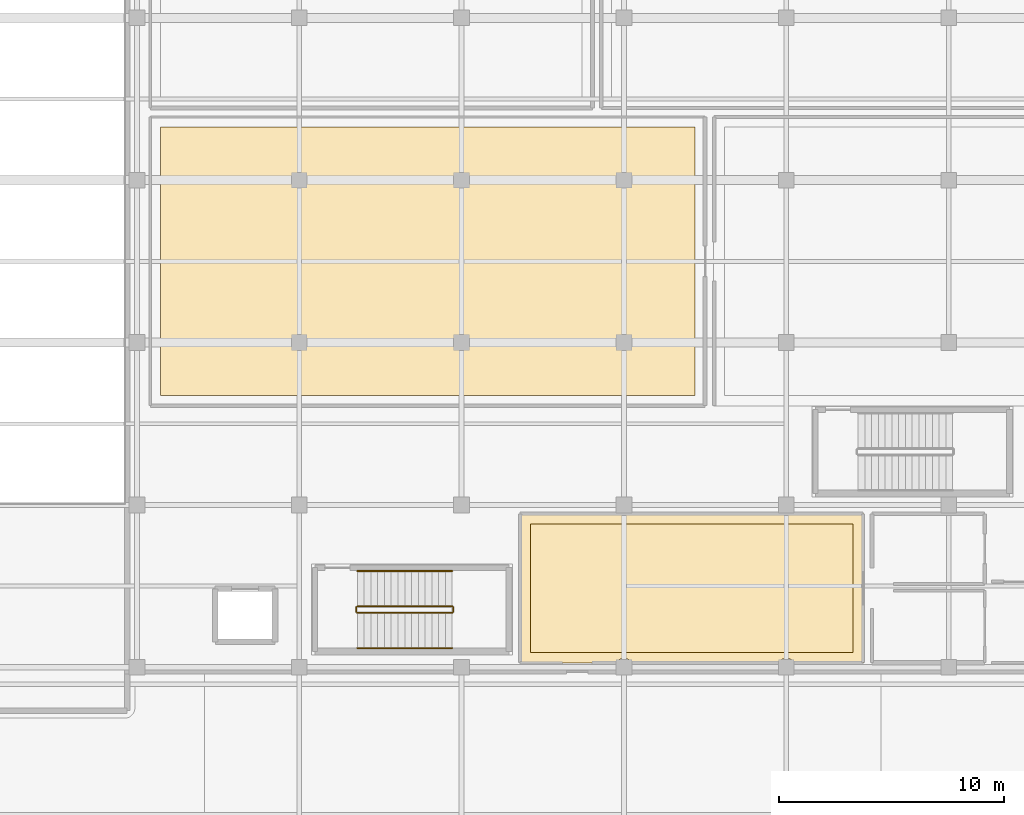
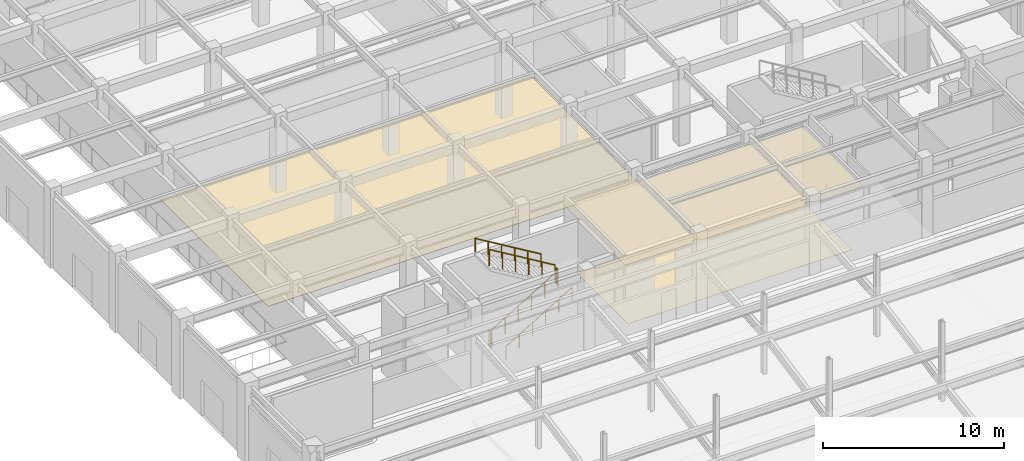
# One storey, part 88 of 102: 6 railings, 3 coverings.
"""IFC4 building model written with IfcOpenShell, lengths in metres."""

from ifc_helpers import new_model, si_unit, direction, frame, origin, origin_2d, place, context, subcontext, project, spatial, polyline, circle, outline, extrude, material, layer, layer_set, type_object, element, save


model = new_model("IFC4")

# Units and contexts
model_context = context("Model", 3, precision=1e-05, world=origin(), true_north=direction((0.0, 1.0)))
body_context = subcontext(model_context, "Body", "Model", "MODEL_VIEW")
ifc_project = project(units=[si_unit("LENGTHUNIT", "METRE"), si_unit("AREAUNIT", "SQUARE_METRE"), si_unit("VOLUMEUNIT", "CUBIC_METRE"), si_unit("PLANEANGLEUNIT", "RADIAN"), si_unit("MASSUNIT", "GRAM", prefix="KILO")], contexts=[model_context])

# Site, building, storey
site_placement = place(None, origin())
site = spatial("IfcSite", under=ifc_project, at=site_placement, CompositionType="ELEMENT")
building_placement = place(site_placement, origin())
building = spatial("IfcBuilding", under=site, at=building_placement, Name="Carrowvane Square Congress Hotel", CompositionType="ELEMENT")
storey_placement = place(building_placement, origin())
storey = spatial("IfcBuildingStorey", under=building, at=storey_placement, Name="L00", CompositionType="ELEMENT", Elevation=0.0)

# Coverings
ifc_material_1 = material(Name="Anodised aluminium", Category="aluminium")
ifc_layer_1 = layer(ifc_material_1, 0.030029296875)
ifc_layer_set_1 = layer_set([ifc_layer_1], Name="Anodised aluminium")
covering_type_1 = type_object("IfcCoveringType", Name="COV-CLG-MT30", PredefinedType="CEILING", material=ifc_layer_set_1)
covering_1_placement = place(storey_placement, frame((0.0, 0.0, 4.392822265625)))
element("IfcCovering", 1, at=covering_1_placement, inside=storey, type_object=covering_type_1, Name="L00 Congress Registration Concourse acoustic ceiling", PredefinedType="CEILING", context=body_context, shape_type="SweptSolid", body=[
    extrude(outline(polyline([(47.63916015625, 55.40185546875), (47.677978515625, 55.40771484375), (47.716064453125, 55.417236328125), (47.723876953125, 55.419921875), (51.0, 55.419921875), (51.001953125, 55.419921875), (51.00390625, 55.419677734375), (51.005859375, 55.419189453125), (51.0078125, 55.41845703125), (51.009521484375, 55.41748046875), (51.010986328125, 55.41650390625), (51.0126953125, 55.41552734375), (51.01416015625, 55.4140625), (51.015380859375, 55.41259765625), (51.0166015625, 55.4111328125), (51.017578125, 55.409423828125), (51.0185546875, 55.40771484375), (51.01904296875, 55.40576171875), (51.01953125, 55.40380859375), (51.02001953125, 55.402099609375), (51.02001953125, 55.39990234375), (51.02001953125, 48.800048828125), (51.02001953125, 48.798095703125), (51.01953125, 48.796142578125), (51.01904296875, 48.794189453125), (51.0185546875, 48.792236328125), (51.017578125, 48.79052734375), (51.0166015625, 48.788818359375), (51.015380859375, 48.787353515625), (51.01416015625, 48.785888671875), (51.0126953125, 48.784423828125), (51.010986328125, 48.783447265625), (51.009521484375, 48.782470703125), (51.0078125, 48.781494140625), (51.005859375, 48.781005859375), (51.00390625, 48.780517578125), (51.001953125, 48.780029296875), (51.0, 48.780029296875), (47.956787109375, 48.780029296875), (47.952880859375, 48.78857421875), (47.9326171875, 48.822265625), (47.9091796875, 48.853759765625), (47.8828125, 48.8828125), (47.853759765625, 48.9091796875), (47.822265625, 48.9326171875), (47.78857421875, 48.952880859375), (47.753173828125, 48.969482421875), (47.716064453125, 48.98291015625), (47.677978515625, 48.9921875), (47.63916015625, 48.998046875), (47.60009765625, 49.0), (47.560791015625, 48.998046875), (47.52197265625, 48.9921875), (47.48388671875, 48.98291015625), (47.447021484375, 48.969482421875), (47.411376953125, 48.952880859375), (47.377685546875, 48.9326171875), (47.34619140625, 48.9091796875), (47.317138671875, 48.8828125), (47.290771484375, 48.853759765625), (47.267333984375, 48.822265625), (47.247314453125, 48.78857421875), (47.2431640625, 48.780029296875), (40.7568359375, 48.780029296875), (40.752685546875, 48.78857421875), (40.732666015625, 48.822265625), (40.709228515625, 48.853759765625), (40.682861328125, 48.8828125), (40.65380859375, 48.9091796875), (40.622314453125, 48.9326171875), (40.588623046875, 48.952880859375), (40.552978515625, 48.969482421875), (40.51611328125, 48.98291015625), (40.47802734375, 48.9921875), (40.439208984375, 48.998046875), (40.39990234375, 49.0), (40.36083984375, 48.998046875), (40.322021484375, 48.9921875), (40.283935546875, 48.98291015625), (40.246826171875, 48.969482421875), (40.21142578125, 48.952880859375), (40.177734375, 48.9326171875), (40.146240234375, 48.9091796875), (40.1171875, 48.8828125), (40.0908203125, 48.853759765625), (40.0673828125, 48.822265625), (40.047119140625, 48.78857421875), (40.043212890625, 48.780029296875), (35.800048828125, 48.780029296875), (35.798095703125, 48.780029296875), (35.796142578125, 48.780517578125), (35.794189453125, 48.781005859375), (35.792236328125, 48.781494140625), (35.79052734375, 48.782470703125), (35.788818359375, 48.783447265625), (35.787353515625, 48.784423828125), (35.785888671875, 48.785888671875), (35.784423828125, 48.787353515625), (35.783447265625, 48.788818359375), (35.782470703125, 48.79052734375), (35.781494140625, 48.792236328125), (35.781005859375, 48.794189453125), (35.780517578125, 48.796142578125), (35.780029296875, 48.798095703125), (35.780029296875, 48.800048828125), (35.780029296875, 55.39990234375), (35.780029296875, 55.402099609375), (35.780517578125, 55.40380859375), (35.781005859375, 55.40576171875), (35.781494140625, 55.40771484375), (35.782470703125, 55.409423828125), (35.783447265625, 55.4111328125), (35.784423828125, 55.41259765625), (35.785888671875, 55.4140625), (35.787353515625, 55.41552734375), (35.788818359375, 55.41650390625), (35.79052734375, 55.41748046875), (35.792236328125, 55.41845703125), (35.794189453125, 55.419189453125), (35.796142578125, 55.419677734375), (35.798095703125, 55.419921875), (35.800048828125, 55.419921875), (40.276123046875, 55.419921875), (40.283935546875, 55.417236328125), (40.322021484375, 55.40771484375), (40.36083984375, 55.40185546875), (40.39990234375, 55.39990234375), (40.439208984375, 55.40185546875), (40.47802734375, 55.40771484375), (40.51611328125, 55.417236328125), (40.52392578125, 55.419921875), (47.47607421875, 55.419921875), (47.48388671875, 55.417236328125), (47.52197265625, 55.40771484375), (47.560791015625, 55.40185546875), (47.60009765625, 55.39990234375), (47.63916015625, 55.40185546875)])), origin(), (0.0, 0.0, 1.0), 0.030029296875),
])
ifc_material_2 = material(Name="European oak timber", Category="wood")
ifc_layer_2 = layer(ifc_material_2, 0.013916015625)
ifc_layer_set_2 = layer_set([ifc_layer_2], Name="European oak timber")
covering_type_2 = type_object("IfcCoveringType", Name="COV-FLR-CRP14", PredefinedType="FLOORING", material=ifc_layer_set_2)
covering_2_placement = place(storey_placement, origin())
element("IfcCovering", 2, at=covering_2_placement, inside=storey, type_object=covering_type_2, Name="L00 Congress Registration Concourse floor finish", PredefinedType="FLOORING", context=body_context, shape_type="SweptSolid", body=[
    extrude(outline(polyline([(50.550048828125, 54.949951171875), (50.550048828125, 49.25), (36.25, 49.25), (36.25, 54.949951171875), (50.550048828125, 54.949951171875)])), origin(), (0.0, 0.0, 1.0), 0.013916015625),
])
ifc_material_3 = material(Name="Portland limestone cladding", Category="masonry")
ifc_layer_3 = layer(ifc_material_3, 0.02587890625)
ifc_layer_set_3 = layer_set([ifc_layer_3], Name="Portland limestone cladding")
covering_type_3 = type_object("IfcCoveringType", Name="COV-FLR-STN26", PredefinedType="FLOORING", material=ifc_layer_set_3)
covering_3_placement = place(storey_placement, origin())
element("IfcCovering", 3, at=covering_3_placement, inside=storey, type_object=covering_type_3, Name="L00 Thermal Spa Reception Lounge floor finish", PredefinedType="FLOORING", context=body_context, shape_type="SweptSolid", body=[
    extrude(outline(polyline([(43.550048828125, 72.550048828125), (43.550048828125, 60.64990234375), (19.85009765625, 60.64990234375), (19.85009765625, 72.550048828125), (43.550048828125, 72.550048828125)])), origin(), (0.0, 0.0, 1.0), 0.02587890625),
])

# Railings
ifc_material_4 = material(Name="Stainless steel 316", Category="steel")
ifc_layer_4 = layer(ifc_material_4, 0.048095703125)
ifc_layer_set_4 = layer_set([ifc_layer_4], Name="Stainless steel 316")
railing_type_1 = type_object("IfcRailingType", Name="RLG-HR-900", PredefinedType="HANDRAIL", material=ifc_layer_set_4)
railing_1_placement = place(storey_placement, frame((28.580078125, 49.449951171875, 0.179931640625)))
element("IfcRailing", 4, at=railing_1_placement, inside=storey, type_object=railing_type_1, Name="L00 ST6 stair handrail 1", PredefinedType="HANDRAIL", context=body_context, shape_type="SweptSolid", body=[
    extrude(circle(Radius=0.02392578125, at=origin_2d()), frame((0.0, 0.0, 0.8759765625), z_axis=(0.857488527567, 0.0, 0.514503085598), x_axis=(0.0, 1.0, 0.0)), (0.0, 0.0, 1.0), 4.89794921875),
    extrude(circle(Radius=0.02099609375, at=origin_2d()), origin(), (0.0, 0.0, 1.0), 0.851806640625),
    extrude(circle(Radius=0.02099609375, at=origin_2d()), frame((0.840087890625, 0.0, 0.50390625)), (0.0, 0.0, 1.0), 0.851806640625),
    extrude(circle(Radius=0.02099609375, at=origin_2d()), frame((1.679931640625, 0.0, 1.008056640625)), (0.0, 0.0, 1.0), 0.851806640625),
    extrude(circle(Radius=0.02099609375, at=origin_2d()), frame((2.52001953125, 0.0, 1.511962890625)), (0.0, 0.0, 1.0), 0.851806640625),
    extrude(circle(Radius=0.02099609375, at=origin_2d()), frame((3.35986328125, 0.0, 2.01611328125)), (0.0, 0.0, 1.0), 0.851806640625),
    extrude(circle(Radius=0.02099609375, at=origin_2d()), frame((4.199951171875, 0.0, 2.52001953125)), (0.0, 0.0, 1.0), 0.851806640625),
])
railing_2_placement = place(storey_placement, frame((32.780029296875, 52.8701171875, 2.8798828125)))
element("IfcRailing", 5, at=railing_2_placement, inside=storey, type_object=railing_type_1, Name="L00 ST6 stair handrail 2", PredefinedType="HANDRAIL", context=body_context, shape_type="SweptSolid", body=[
    extrude(circle(Radius=0.02392578125, at=origin_2d()), frame((0.0, 0.0, 0.8759765625), z_axis=(-0.857488527567, 0.0, 0.514503085598), x_axis=(0.0, -1.0, 0.0)), (0.0, 0.0, 1.0), 4.89794921875),
    extrude(circle(Radius=0.02099609375, at=origin_2d()), origin(), (0.0, 0.0, 1.0), 0.851806640625),
    extrude(circle(Radius=0.02099609375, at=origin_2d()), frame((-0.840087890625, 0.0, 0.50390625)), (0.0, 0.0, 1.0), 0.851806640625),
    extrude(circle(Radius=0.02099609375, at=origin_2d()), frame((-1.679931640625, 0.0, 1.008056640625)), (0.0, 0.0, 1.0), 0.851806640625),
    extrude(circle(Radius=0.02099609375, at=origin_2d()), frame((-2.52001953125, 0.0, 1.511962890625)), (0.0, 0.0, 1.0), 0.851806640625),
    extrude(circle(Radius=0.02099609375, at=origin_2d()), frame((-3.35986328125, 0.0, 2.01611328125)), (0.0, 0.0, 1.0), 0.851806640625),
    extrude(circle(Radius=0.02099609375, at=origin_2d()), frame((-4.199951171875, 0.0, 2.52001953125)), (0.0, 0.0, 1.0), 0.851806640625),
])
ifc_material_5 = material(Name="Galvanised steel", Category="steel")
ifc_layer_5 = layer(ifc_material_5, 0.048095703125)
ifc_layer_set_5 = layer_set([ifc_layer_5], Name="Galvanised steel")
railing_type_2 = type_object("IfcRailingType", Name="RLG-STG-1100", PredefinedType="GUARDRAIL", material=ifc_layer_set_5)
railing_3_placement = place(storey_placement, frame((28.580078125, 51.010009765625, 0.179931640625)))
element("IfcRailing", 6, at=railing_3_placement, inside=storey, type_object=railing_type_2, Name="L00 ST6 stair guard 1", PredefinedType="GUARDRAIL", context=body_context, shape_type="SweptSolid", body=[
    extrude(circle(Radius=0.02392578125, at=origin_2d()), frame((0.0, 0.0, 1.076171875), z_axis=(0.857488527567, 0.0, 0.514503085598), x_axis=(0.0, 1.0, 0.0)), (0.0, 0.0, 1.0), 4.89794921875),
    extrude(circle(Radius=0.02099609375, at=origin_2d()), origin(), (0.0, 0.0, 1.0), 1.052001953125),
    extrude(circle(Radius=0.02099609375, at=origin_2d()), frame((0.840087890625, 0.0, 0.50390625)), (0.0, 0.0, 1.0), 1.052001953125),
    extrude(circle(Radius=0.02099609375, at=origin_2d()), frame((1.679931640625, 0.0, 1.008056640625)), (0.0, 0.0, 1.0), 1.052001953125),
    extrude(circle(Radius=0.02099609375, at=origin_2d()), frame((2.52001953125, 0.0, 1.511962890625)), (0.0, 0.0, 1.0), 1.052001953125),
    extrude(circle(Radius=0.02099609375, at=origin_2d()), frame((3.35986328125, 0.0, 2.01611328125)), (0.0, 0.0, 1.0), 1.052001953125),
    extrude(circle(Radius=0.02099609375, at=origin_2d()), frame((4.199951171875, 0.0, 2.52001953125)), (0.0, 0.0, 1.0), 1.052001953125),
])
railing_4_placement = place(storey_placement, frame((32.830078125, 51.06005859375, 2.699951171875)))
element("IfcRailing", 7, at=railing_4_placement, inside=storey, type_object=railing_type_2, Name="L00 ST6 stair guard 2", PredefinedType="GUARDRAIL", context=body_context, shape_type="SweptSolid", body=[
    extrude(circle(Radius=0.02392578125, at=origin_2d()), frame((0.0, 0.0, 1.076171875), z_axis=(0.0, 1.0, 0.0), x_axis=(-1.0, 0.0, 0.0)), (0.0, 0.0, 1.0), 0.199951171875),
    extrude(circle(Radius=0.02099609375, at=origin_2d()), origin(), (0.0, 0.0, 1.0), 1.052001953125),
    extrude(circle(Radius=0.02099609375, at=origin_2d()), frame((0.0, 0.199951171875, 0.0)), (0.0, 0.0, 1.0), 1.052001953125),
])
railing_5_placement = place(storey_placement, frame((32.780029296875, 51.31005859375, 2.8798828125)))
element("IfcRailing", 8, at=railing_5_placement, inside=storey, type_object=railing_type_2, Name="L00 ST6 stair guard 3", PredefinedType="GUARDRAIL", context=body_context, shape_type="SweptSolid", body=[
    extrude(circle(Radius=0.02392578125, at=origin_2d()), frame((0.0, 0.0, 1.076171875), z_axis=(-0.857488527567, 0.0, 0.514503085598), x_axis=(0.0, -1.0, 0.0)), (0.0, 0.0, 1.0), 4.89794921875),
    extrude(circle(Radius=0.02099609375, at=origin_2d()), origin(), (0.0, 0.0, 1.0), 1.052001953125),
    extrude(circle(Radius=0.02099609375, at=origin_2d()), frame((-0.840087890625, 0.0, 0.50390625)), (0.0, 0.0, 1.0), 1.052001953125),
    extrude(circle(Radius=0.02099609375, at=origin_2d()), frame((-1.679931640625, 0.0, 1.008056640625)), (0.0, 0.0, 1.0), 1.052001953125),
    extrude(circle(Radius=0.02099609375, at=origin_2d()), frame((-2.52001953125, 0.0, 1.511962890625)), (0.0, 0.0, 1.0), 1.052001953125),
    extrude(circle(Radius=0.02099609375, at=origin_2d()), frame((-3.35986328125, 0.0, 2.01611328125)), (0.0, 0.0, 1.0), 1.052001953125),
    extrude(circle(Radius=0.02099609375, at=origin_2d()), frame((-4.199951171875, 0.0, 2.52001953125)), (0.0, 0.0, 1.0), 1.052001953125),
])
railing_6_placement = place(storey_placement, frame((28.530029296875, 51.06005859375, 0.0)))
element("IfcRailing", 9, at=railing_6_placement, inside=storey, type_object=railing_type_2, Name="L00 ST6 stair guard 4", PredefinedType="GUARDRAIL", context=body_context, shape_type="SweptSolid", body=[
    extrude(circle(Radius=0.02392578125, at=origin_2d()), frame((0.0, 0.0, 1.076171875), z_axis=(0.0, 1.0, 0.0), x_axis=(-1.0, 0.0, 0.0)), (0.0, 0.0, 1.0), 0.199951171875),
    extrude(circle(Radius=0.02099609375, at=origin_2d()), origin(), (0.0, 0.0, 1.0), 1.052001953125),
    extrude(circle(Radius=0.02099609375, at=origin_2d()), frame((0.0, 0.199951171875, 0.0)), (0.0, 0.0, 1.0), 1.052001953125),
])

save(model, "model.ifc")
